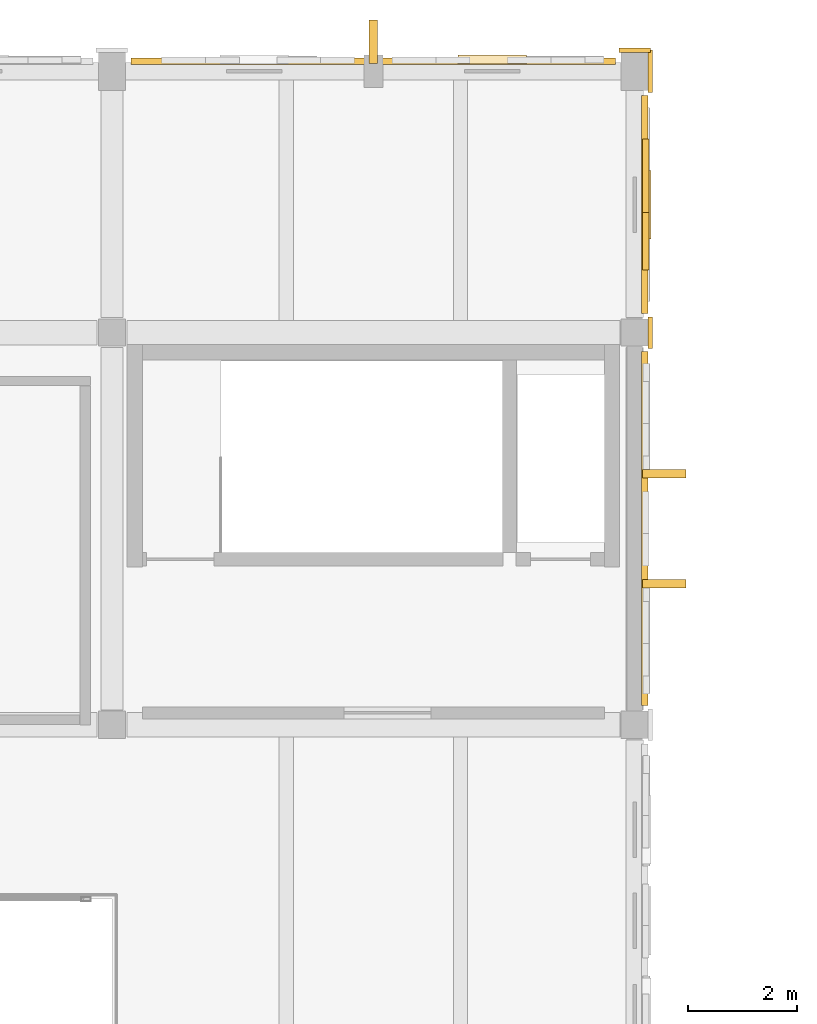
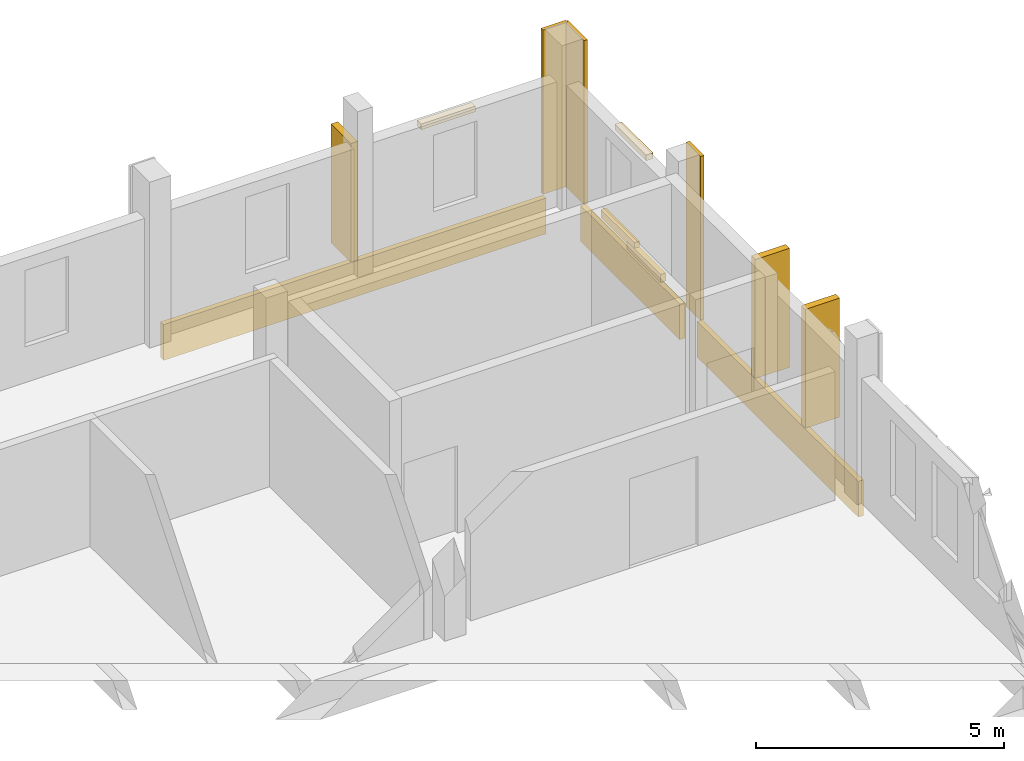
# One storey, part 22 of 24: 13 coverings.
"""IFC4 building model written with IfcOpenShell, lengths in metres."""

from ifc_helpers import new_model, si_unit, direction, frame, origin, origin_2d, place, context, subcontext, project, spatial, rectangle, extrude, material, layer, layer_set, type_object, element, save


model = new_model("IFC4")

# Units and contexts
model_context = context("Model", 3, precision=1e-05, world=origin(), true_north=direction((0.0, 1.0)))
body_context = subcontext(model_context, "Body", "Model", "MODEL_VIEW")
ifc_project = project(units=[si_unit("LENGTHUNIT", "METRE"), si_unit("AREAUNIT", "SQUARE_METRE"), si_unit("VOLUMEUNIT", "CUBIC_METRE"), si_unit("PLANEANGLEUNIT", "RADIAN"), si_unit("MASSUNIT", "GRAM", prefix="KILO")], contexts=[model_context])

# Site, building, storey
site_placement = place(None, origin())
site = spatial("IfcSite", under=ifc_project, at=site_placement, CompositionType="ELEMENT")
building_placement = place(site_placement, origin())
building = spatial("IfcBuilding", under=site, at=building_placement, Name="Asteropetra Specialist Clinic", CompositionType="ELEMENT")
storey_placement = place(building_placement, frame((0.0, 0.0, 20.739990234375)))
storey = spatial("IfcBuildingStorey", under=building, at=storey_placement, Name="L05", CompositionType="ELEMENT", Elevation=20.739990234375)

# Coverings
ifc_material_1 = material(Name="Chevron ivory")
ifc_layer_1 = layer(ifc_material_1, 0.1201171875)
ifc_layer_set_1 = layer_set([ifc_layer_1], Name="Chevron ivory")
covering_type_1 = type_object("IfcCoveringType", Name="CLD-TER-IVORY", PredefinedType="CLADDING", material=ifc_layer_set_1)
covering_1_placement = place(storey_placement, frame((33.60009765625, 110.5849609375, -0.800048828125), z_axis=(0.0, 0.0, 1.0), x_axis=(1.0, 0.0, 0.0)))
element("IfcCovering", 1, at=covering_1_placement, inside=storey, type_object=covering_type_1, Name="Chevron Spandrel Band CV-1758", PredefinedType="CLADDING", context=body_context, shape_type="SweptSolid", body=[
    extrude(rectangle(XDim=8.89990234375, YDim=0.1201171875, at=origin_2d()), origin(), (0.0, 0.0, 1.0), 0.8798828125),
])
covering_2_placement = place(storey_placement, frame((38.5849609375, 102.0, -0.800048828125), z_axis=(0.0, 0.0, 1.0), x_axis=(1.0, 0.0, 0.0)))
element("IfcCovering", 2, at=covering_2_placement, inside=storey, type_object=covering_type_1, Name="Chevron Spandrel Band CV-1826", PredefinedType="CLADDING", context=body_context, shape_type="SweptSolid", body=[
    extrude(rectangle(XDim=0.1201171875, YDim=6.5, at=origin_2d()), origin(), (0.0, 0.0, 1.0), 0.8798828125),
])
covering_3_placement = place(storey_placement, frame((38.5849609375, 107.949951171875, -0.800048828125), z_axis=(0.0, 0.0, 1.0), x_axis=(1.0, 0.0, 0.0)))
element("IfcCovering", 3, at=covering_3_placement, inside=storey, type_object=covering_type_1, Name="Chevron Spandrel Band CV-1838", PredefinedType="CLADDING", context=body_context, shape_type="SweptSolid", body=[
    extrude(rectangle(XDim=0.1201171875, YDim=4.0, at=origin_2d()), origin(), (0.0, 0.0, 1.0), 0.8798828125),
])
for number, where, z_axis, x_axis, name in (
    (4, (38.60009765625, 107.422119140625, 0.1201171875), (0.0, 0.0, 1.0), (1.0, 0.0, 0.0), "Chevron Ceramic Band CV-1839"),
    (5, (38.60009765625, 108.47802734375, 0.26025390625), (0.0, 0.0, 1.0), (1.0, 0.0, 0.0), "Chevron Ceramic Band CV-1840"),
):
    element("IfcCovering", number, at=place(storey_placement, frame(where, z_axis=z_axis, x_axis=x_axis)), inside=storey, type_object=covering_type_1, Name=name, PredefinedType="CLADDING", context=body_context, shape_type="SweptSolid", body=[
        extrude(rectangle(XDim=0.1201171875, YDim=1.35302734375, at=origin_2d()), origin(), (0.0, 0.0, 1.0), 0.199951171875),
    ])
ifc_material_2 = material(Name="Pentelic marble ashlar", Category="masonry")
ifc_layer_2 = layer(ifc_material_2, 0.159912109375)
ifc_layer_set_2 = layer_set([ifc_layer_2], Name="Pentelic marble ashlar")
covering_type_2 = type_object("IfcCoveringType", Name="CRN-ENTAB-600", PredefinedType="MOLDING", material=ifc_layer_set_2)
covering_4_placement = place(storey_placement, frame((38.681884765625, 105.60009765625, 0.02001953125), z_axis=(0.0, 0.0, 1.0), x_axis=(1.0, 0.0, 0.0)))
element("IfcCovering", 6, at=covering_4_placement, inside=storey, type_object=covering_type_2, Name="Neoclassical Pilaster Facing CM-0742", PredefinedType="MOLDING", context=body_context, shape_type="SweptSolid", body=[
    extrude(rectangle(XDim=0.080078125, YDim=0.580078125, at=origin_2d()), origin(), (0.0, 0.0, 1.0), 4.0400390625),
])
covering_5_placement = place(storey_placement, frame((38.39990234375, 110.781982421875, 0.02001953125), z_axis=(0.0, 0.0, 1.0), x_axis=(1.0, 0.0, 0.0)))
element("IfcCovering", 7, at=covering_5_placement, inside=storey, type_object=covering_type_2, Name="Neoclassical Pilaster Facing CM-0743", PredefinedType="MOLDING", context=body_context, shape_type="SweptSolid", body=[
    extrude(rectangle(XDim=0.580078125, YDim=0.080078125, at=origin_2d()), origin(), (0.0, 0.0, 1.0), 4.0400390625),
])
covering_6_placement = place(storey_placement, frame((38.681884765625, 110.39990234375, 0.02001953125), z_axis=(0.0, 0.0, 1.0), x_axis=(1.0, 0.0, 0.0)))
element("IfcCovering", 8, at=covering_6_placement, inside=storey, type_object=covering_type_2, Name="Neoclassical Pilaster Facing CM-0744", PredefinedType="MOLDING", context=body_context, shape_type="SweptSolid", body=[
    extrude(rectangle(XDim=0.080078125, YDim=0.780029296875, at=origin_2d()), origin(), (0.0, 0.0, 1.0), 4.0400390625),
])
covering_7_placement = place(storey_placement, frame((35.783935546875, 110.614990234375, 2.77001953125), z_axis=(0.0, 0.0, 1.0), x_axis=(1.0, 0.0, 0.0)))
element("IfcCovering", 9, at=covering_7_placement, inside=storey, type_object=covering_type_2, Name="Classical Window Hood WH-1756", PredefinedType="MOLDING", context=body_context, shape_type="SweptSolid", body=[
    extrude(rectangle(XDim=1.260009765625, YDim=0.159912109375, at=origin_2d()), origin(), (0.0, 0.0, 1.0), 0.139892578125),
])
covering_8_placement = place(storey_placement, frame((38.614990234375, 107.949951171875, 2.77001953125), z_axis=(0.0, 0.0, 1.0), x_axis=(1.0, 0.0, 0.0)))
element("IfcCovering", 10, at=covering_8_placement, inside=storey, type_object=covering_type_2, Name="Classical Window Hood WH-1837", PredefinedType="MOLDING", context=body_context, shape_type="SweptSolid", body=[
    extrude(rectangle(XDim=0.159912109375, YDim=1.260009765625, at=origin_2d()), origin(), (0.0, 0.0, 1.0), 0.139892578125),
])
ifc_material_3 = material(Name="Pentelic marble solar fin", Category="masonry")
ifc_layer_3 = layer(ifc_material_3, 0.080078125)
ifc_layer_set_3 = layer_set([ifc_layer_3], Name="Pentelic marble solar fin")
covering_type_3 = type_object("IfcCoveringType", Name="FIN-SOLAR-800", PredefinedType="MOLDING", material=ifc_layer_set_3)
covering_9_placement = place(storey_placement, frame((33.60009765625, 110.93994140625, 0.06982421875), z_axis=(0.0, 0.0, 1.0), x_axis=(1.0, 0.0, 0.0)))
element("IfcCovering", 11, at=covering_9_placement, inside=storey, type_object=covering_type_3, Name="Solar Shading Fin FN-0120", PredefinedType="MOLDING", context=body_context, shape_type="SweptSolid", body=[
    extrude(rectangle(XDim=0.159912109375, YDim=0.800048828125, at=origin_2d()), origin(), (0.0, 0.0, 1.0), 2.929931640625),
])
for number, where, z_axis, x_axis, name in (
    (12, (38.93994140625, 100.989990234375, 0.06982421875), (0.0, 0.0, 1.0), (1.0, 0.0, 0.0), "Solar Shading Fin FN-0122"),
    (13, (38.93994140625, 103.010009765625, 0.06982421875), (0.0, 0.0, 1.0), (1.0, 0.0, 0.0), "Solar Shading Fin FN-0123"),
):
    element("IfcCovering", number, at=place(storey_placement, frame(where, z_axis=z_axis, x_axis=x_axis)), inside=storey, type_object=covering_type_3, Name=name, PredefinedType="MOLDING", context=body_context, shape_type="SweptSolid", body=[
        extrude(rectangle(XDim=0.800048828125, YDim=0.159912109375, at=origin_2d()), origin(), (0.0, 0.0, 1.0), 2.929931640625),
    ])

save(model, "model.ifc")
